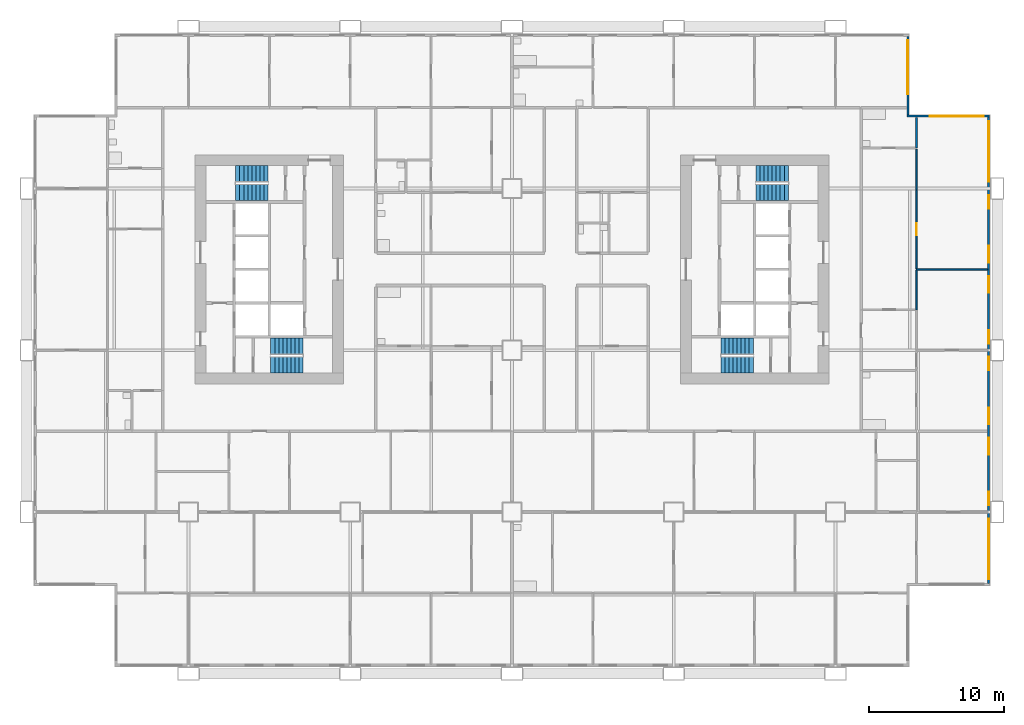
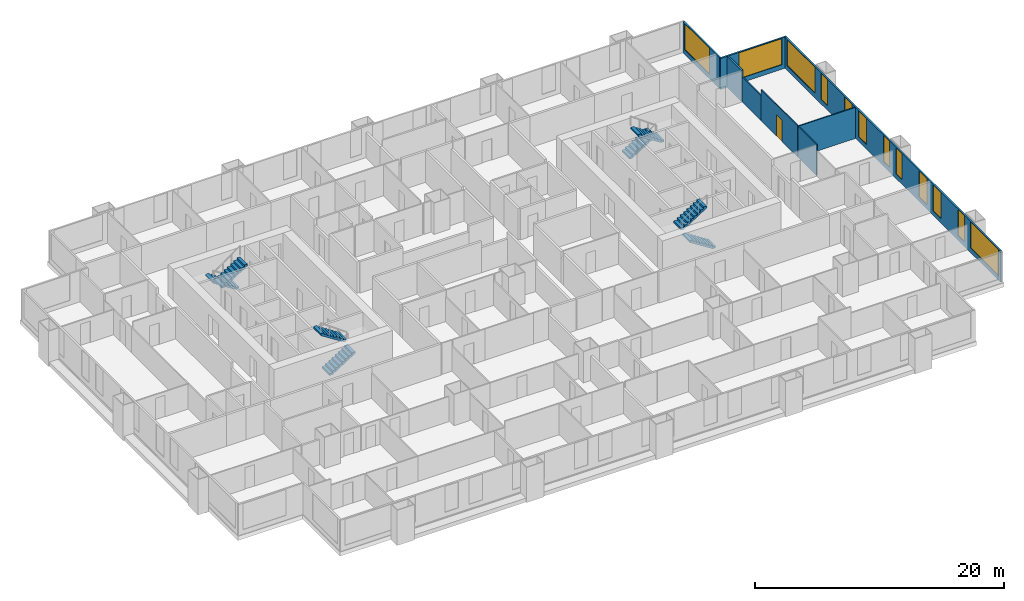
# One storey, part 12 of 14: 12 windows, 8 stair flights, 8 walls, 1 door, 13 openings, 4 elements without a shape of their own.
"""IFC4 building model written with IfcOpenShell, lengths in metres."""

import ifcopenshell
import ifcopenshell.guid

model = None  # the IFC model being written
_history = None  # IfcOwnerHistory: only IFC2X3 demands one
_inside = {}  # id of a spatial element -> (the spatial element, [elements in it])
_under = {}  # id of a project, library or spatial element -> (it, [spatial elements below it])
_declared = {}  # id of a project -> (the project, [libraries it declares])
_typed = {}  # id of a type object -> (the type object, [elements of that type])
_made_of = {}  # id of a material, layer set ... -> (it, [elements and type objects made of it])


def new_model(schema):
    """Start an empty IFC model of exactly this schema.

    Asked for "IFC4X3", IfcOpenShell would pick the latest addendum, in which some entities
    have other attributes; the version numbers below select the first issue.
    IFC2X3 requires an IfcOwnerHistory on every rooted entity: one is made here for all.
    """
    global model, _history
    if schema == "IFC4X3":
        model = ifcopenshell.file(schema_version=(4, 3, 0, 0))
    else:
        model = ifcopenshell.file(schema=schema)
    _inside.clear()
    _under.clear()
    _declared.clear()
    _typed.clear()
    _made_of.clear()
    _history = None
    if model.schema == "IFC2X3":
        org = make("IfcOrganization", Name="unknown")
        user = make(
            "IfcPersonAndOrganization",
            ThePerson=make("IfcPerson", FamilyName="unknown"),
            TheOrganization=org,
        )
        app = make(
            "IfcApplication",
            ApplicationDeveloper=org,
            Version="unknown",
            ApplicationFullName="unknown",
            ApplicationIdentifier="unknown",
        )
        _history = make(
            "IfcOwnerHistory",
            OwningUser=user,
            OwningApplication=app,
            ChangeAction="ADDED",
            CreationDate=0,
        )
    return model


def make(cls, **values):
    """One entity of the class cls with the attributes given. An attribute that is None is left unset."""
    return model.create_entity(
        cls, **{name: value for name, value in values.items() if value is not None}
    )


def rooted(cls, **values):
    """An entity with a GlobalId (a new one), such as an element, a storey or a relation."""
    return make(cls, GlobalId=ifcopenshell.guid.new(), OwnerHistory=_history, **values)


def si_unit(unit_type, name, prefix=None):
    """IfcSIUnit, for example si_unit("LENGTHUNIT", "METRE", prefix="MILLI")."""
    return make("IfcSIUnit", UnitType=unit_type, Prefix=prefix, Name=name)


def assignment(units):
    """IfcUnitAssignment: the units of a project."""
    return None if units is None else make("IfcUnitAssignment", Units=units)


def point(xyz):
    """IfcCartesianPoint."""
    return None if xyz is None else make("IfcCartesianPoint", Coordinates=xyz)


def direction(xyz):
    """IfcDirection."""
    return None if xyz is None else make("IfcDirection", DirectionRatios=xyz)


def frame(location, z_axis=None, x_axis=None):
    """IfcAxis2Placement3D, a coordinate frame: its origin and axes. An axis left out is left unset."""
    return make(
        "IfcAxis2Placement3D",
        Location=point(location),
        Axis=direction(z_axis),
        RefDirection=direction(x_axis),
    )


def frame_2d(location, x_axis=None):
    """IfcAxis2Placement2D, a coordinate frame in the plane: its origin and x axis."""
    return make(
        "IfcAxis2Placement2D", Location=point(location), RefDirection=direction(x_axis)
    )


def origin():
    """The frame at (0, 0, 0) with its axes left unset."""
    return frame((0.0, 0.0, 0.0))


def place(relative_to, where):
    """IfcLocalPlacement: puts the frame where relative to a parent placement (None: the world)."""
    return make(
        "IfcLocalPlacement", PlacementRelTo=relative_to, RelativePlacement=where
    )


def context(
    kind, dimensions, precision=None, world=None, true_north=None, identifier=None
):
    """IfcGeometricRepresentationContext, for example the 3D "Model" context."""
    return make(
        "IfcGeometricRepresentationContext",
        ContextIdentifier=identifier,
        ContextType=kind,
        CoordinateSpaceDimension=dimensions,
        Precision=precision,
        WorldCoordinateSystem=world,
        TrueNorth=true_north,
    )


def subcontext(parent, identifier, kind, view, scale=None):
    """IfcGeometricRepresentationSubContext, for example "Body" below "Model"."""
    return make(
        "IfcGeometricRepresentationSubContext",
        ContextIdentifier=identifier,
        ContextType=kind,
        ParentContext=parent,
        TargetScale=scale,
        TargetView=view,
    )


def project(units=None, contexts=None):
    """IfcProject with its units and contexts."""
    return rooted(
        "IfcProject",
        Name="project",
        RepresentationContexts=contexts,
        UnitsInContext=assignment(units),
    )


def spatial(cls, under=None, at=None, **own):
    """A site, building, storey or space (cls), placed at a placement, below another one or the project."""
    s = rooted(cls, ObjectPlacement=at, **own)
    if under is not None:
        _under.setdefault(under.id(), (under, []))[1].append(s)
    return s


def polyline(points):
    """IfcPolyline through the points."""
    return make("IfcPolyline", Points=[point(p) for p in points])


def profile(cls, at=None, kind="AREA", **sizes):
    """A parametric profile (cls). Its sizes go by their IFC names, for example OverallWidth=200.0."""
    return make(cls, ProfileType=kind, Position=at, **sizes)


def rectangle(**sizes):
    """IfcRectangleProfileDef."""
    return profile("IfcRectangleProfileDef", **sizes)


def outline(outer, holes=None, kind="AREA"):
    """IfcArbitraryClosedProfileDef: a profile drawn as a closed curve; with holes, ...WithVoids."""
    if holes is None:
        return make("IfcArbitraryClosedProfileDef", ProfileType=kind, OuterCurve=outer)
    return make(
        "IfcArbitraryProfileDefWithVoids",
        ProfileType=kind,
        OuterCurve=outer,
        InnerCurves=holes,
    )


def extrude(swept, where, along, depth):
    """IfcExtrudedAreaSolid: the profile swept, set in the frame where, extruded along a direction by depth."""
    return make(
        "IfcExtrudedAreaSolid",
        SweptArea=swept,
        Position=where,
        ExtrudedDirection=direction(along),
        Depth=depth,
    )


def shape(context_of_items, identifier, shape_type, items):
    """IfcShapeRepresentation: the items that make up one representation, for example the "Body"."""
    return make(
        "IfcShapeRepresentation",
        ContextOfItems=context_of_items,
        RepresentationIdentifier=identifier,
        RepresentationType=shape_type,
        Items=items,
    )


def material(Name=None, Category=None):
    """IfcMaterial."""
    return make("IfcMaterial", Name=Name, Category=Category)


def layer(
    of_material, thickness, ventilated=None, Name=None, Category=None, Priority=None
):
    """IfcMaterialLayer: one layer of a wall or slab, of a material (None: an air gap)."""
    return make(
        "IfcMaterialLayer",
        Material=of_material,
        LayerThickness=thickness,
        IsVentilated=ventilated,
        Name=Name,
        Category=Category,
        Priority=Priority,
    )


def layer_set(layers, Name=None):
    """IfcMaterialLayerSet."""
    return make("IfcMaterialLayerSet", MaterialLayers=layers, LayerSetName=Name)


def made_of(thing, what):
    """Note that an element or type object is made of a material, layer set ...; save() writes the relation."""
    if what is not None:
        _made_of.setdefault(what.id(), (what, []))[1].append(thing)
    return thing


def type_object(cls, material=None, **own):
    """A type object (cls), such as IfcWallType, which elements share."""
    return made_of(rooted(cls, **own), material)


def element(
    cls,
    number,
    at=None,
    inside=None,
    cuts=None,
    type_object=None,
    material=None,
    context=None,
    identifier="Body",
    shape_type=None,
    held_by="IfcProductDefinitionShape",
    body=None,
    shapes=None,
    **own,
):
    """One element of the class cls, such as IfcWall. Its Tag is "e" and its number.

    at: its placement. inside: the storey or other place that contains it. cuts: it is an
    opening in that element (IfcRelVoidsElement). A single representation is given by context,
    identifier, shape_type and body (its items); several are given by shapes. held_by: the class
    of the entity that holds the representations. save() writes the other relations.
    """
    e = rooted(cls, Tag="e%d" % number, ObjectPlacement=at, **own)
    if body is not None:
        shapes = [shape(context, identifier, shape_type, body)]
    if shapes is not None:
        e.Representation = make(held_by, Representations=shapes)
    if inside is not None:
        _inside.setdefault(inside.id(), (inside, []))[1].append(e)
    if cuts is not None:
        rooted(
            "IfcRelVoidsElement", RelatingBuildingElement=cuts, RelatedOpeningElement=e
        )
    if type_object is not None:
        _typed.setdefault(type_object.id(), (type_object, []))[1].append(e)
    return made_of(e, material)


def fill(opening, filler):
    """IfcRelFillsElement: the door or window that sits in an opening."""
    return rooted(
        "IfcRelFillsElement",
        RelatingOpeningElement=opening,
        RelatedBuildingElement=filler,
    )


def aggregate(whole, parts):
    """IfcRelAggregates: a whole, such as a stair, and the parts it consists of."""
    return rooted("IfcRelAggregates", RelatingObject=whole, RelatedObjects=parts)


def save(model, path):
    """Write the relations noted so far, then the file.

    IfcRelAggregates (storeys below a building ...), IfcRelContainedInSpatialStructure (elements
    in a storey), IfcRelDefinesByType, IfcRelAssociatesMaterial and IfcRelDeclares: one each for
    every whole, place, type object, material and project.
    """
    for whole, parts in _under.values():
        aggregate(whole, parts)
    for where, things in _inside.values():
        rooted(
            "IfcRelContainedInSpatialStructure",
            RelatedElements=things,
            RelatingStructure=where,
        )
    for kind, things in _typed.values():
        rooted("IfcRelDefinesByType", RelatedObjects=things, RelatingType=kind)
    for what, things in _made_of.values():
        rooted("IfcRelAssociatesMaterial", RelatedObjects=things, RelatingMaterial=what)
    for by, libraries in _declared.values():
        rooted("IfcRelDeclares", RelatingContext=by, RelatedDefinitions=libraries)
    model.write(path)


model = new_model("IFC4")

# Units and contexts
model_context = context("Model", 3, precision=1e-05, world=origin(), true_north=direction((0.0, 1.0)))
body_context = subcontext(model_context, "Body", "Model", "MODEL_VIEW")
ifc_project = project(units=[si_unit("LENGTHUNIT", "METRE"), si_unit("AREAUNIT", "SQUARE_METRE"), si_unit("VOLUMEUNIT", "CUBIC_METRE"), si_unit("PLANEANGLEUNIT", "RADIAN"), si_unit("MASSUNIT", "GRAM", prefix="KILO")], contexts=[model_context])

# Site, building, storey
site_placement = place(None, origin())
site = spatial("IfcSite", under=ifc_project, at=site_placement, CompositionType="ELEMENT")
building_placement = place(site_placement, origin())
building = spatial("IfcBuilding", under=site, at=building_placement, Name="Kitamizu Gate Tower and Museum", CompositionType="ELEMENT")
storey_placement = place(building_placement, frame((0.0, 0.0, 85.199951171875)))
storey = spatial("IfcBuildingStorey", under=building, at=storey_placement, Name="L21", CompositionType="ELEMENT", Elevation=85.199951171875)

# Walls
ifc_material_1 = material(Name="Gypsum board on galvanised stud")
ifc_layer_1 = layer(ifc_material_1, 0.10009765625)
ifc_layer_set_1 = layer_set([ifc_layer_1], Name="Gypsum board on galvanised stud")
wall_type_1 = type_object("IfcWallType", Name="Partition 100 NOT RATED", PredefinedType="PARTITIONING", material=ifc_layer_set_1)
wall_1_placement = place(storey_placement, frame((71.280029296875, 30.0, 0.0), z_axis=(0.0, 0.0, 1.0), x_axis=(-1.0, 0.0, 0.0)))
element("IfcWall", 1, at=wall_1_placement, inside=storey, type_object=wall_type_1, Name="Partition L21-172", PredefinedType="PARTITIONING", context=body_context, shape_type="SweptSolid", body=[
    extrude(rectangle(XDim=5.280029296875, YDim=0.10009765625, at=frame_2d((2.64013671875, 0.0))), origin(), (0.0, 0.0, 1.0), 3.050048828125),
])
wall_2_placement = place(storey_placement, frame((66.0, 29.949951171875, 0.0), z_axis=(0.0, 0.0, 1.0), x_axis=(0.0, -1.0, 0.0)))
element("IfcWall", 2, at=wall_2_placement, inside=storey, type_object=wall_type_1, Name="Partition L21-174", PredefinedType="PARTITIONING", context=body_context, shape_type="SweptSolid", body=[
    extrude(rectangle(XDim=2.949951171875, YDim=0.10009765625, at=frame_2d((1.47509765625, 0.0))), origin(), (0.0, 0.0, 1.0), 3.050048828125),
])
wall_3_placement = place(storey_placement, frame((66.0, 38.925048828125, 0.0), z_axis=(0.0, 0.0, 1.0), x_axis=(0.0, -1.0, 0.0)))
element("IfcWall", 3, at=wall_3_placement, inside=storey, type_object=wall_type_1, Name="Partition L21-175", PredefinedType="PARTITIONING", context=body_context, shape_type="SweptSolid", body=[
    extrude(rectangle(XDim=3.025146484375, YDim=0.10009765625, at=frame_2d((1.5126953125, 0.0))), origin(), (0.0, 0.0, 1.0), 2.449951171875),
])

# Wall, opening, door
wall_4_placement = place(storey_placement, frame((66.0, 35.89990234375, 0.0), z_axis=(0.0, 0.0, 1.0), x_axis=(0.0, -1.0, 0.0)))
wall_4 = element("IfcWall", 4, at=wall_4_placement, inside=storey, type_object=wall_type_1, Name="Partition L21-176", PredefinedType="PARTITIONING", context=body_context, shape_type="SweptSolid", body=[
    extrude(rectangle(XDim=5.849853515625, YDim=0.10009765625, at=frame_2d((2.9248046875, 0.0))), origin(), (0.0, 0.0, 1.0), 3.050048828125),
])
opening_1_placement = place(wall_4_placement, frame((2.47509765625, 0.0, 0.0)))
opening_1 = element("IfcOpeningElement", 5, at=opening_1_placement, cuts=wall_4, Name="Opening L21-062", PredefinedType="OPENING", context=body_context, shape_type="SweptSolid", body=[
    extrude(rectangle(XDim=0.89990234375, YDim=2.10009765625, at=frame_2d((0.449951171875, 1.050048828125))), frame((0.0, 0.06005859375, 0.0), z_axis=(0.0, -1.0, 0.0), x_axis=(1.0, 0.0, 0.0)), (0.0, 0.0, 1.0), 0.1201171875),
])
ifc_material_2 = material(Name="Timber door set", Category="wood")
door_type = type_object("IfcDoorType", Name="Room door 900", OperationType="NOTDEFINED", PredefinedType="DOOR", material=ifc_material_2)
door_placement = place(opening_1_placement, origin())
door = element("IfcDoor", 6, at=door_placement, inside=storey, type_object=door_type, Name="Door L21-062", OperationType="SINGLE_SWING_RIGHT", OverallHeight=2.10009765625, OverallWidth=0.89990234375, PredefinedType="DOOR", context=body_context, shape_type="SweptSolid", body=[
    extrude(rectangle(XDim=0.89990234375, YDim=2.10009765625, at=frame_2d((0.449951171875, 1.050048828125))), frame((0.0, 0.02490234375, 0.0), z_axis=(0.0, -1.0, 0.0), x_axis=(1.0, 0.0, 0.0)), (0.0, 0.0, 1.0), 0.050048828125),
])
fill(opening_1, door)

# Wall
ifc_material_3 = material(Name="Gypsum board on galvanised stud")
ifc_layer_2 = layer(ifc_material_3, 0.14990234375)
ifc_layer_set_2 = layer_set([ifc_layer_2], Name="Gypsum board on galvanised stud")
wall_type_2 = type_object("IfcWallType", Name="Partition 150", PredefinedType="PARTITIONING", material=ifc_layer_set_2)
wall_5_placement = place(storey_placement, frame((66.0, 41.280029296875, 0.0), z_axis=(0.0, 0.0, 1.0), x_axis=(0.0, -1.0, 0.0)))
element("IfcWall", 7, at=wall_5_placement, inside=storey, type_object=wall_type_2, Name="Partition L21-177", PredefinedType="PARTITIONING", context=body_context, shape_type="SweptSolid", body=[
    extrude(rectangle(XDim=2.280029296875, YDim=0.14990234375, at=frame_2d((1.14013671875, 0.0))), origin(), (0.0, 0.0, 1.0), 3.050048828125),
])

# Wall, openings, windows
ifc_material_4 = material(Name="Bronze anodised aluminium frame with insulated spandrel and tinted glass", Category="aluminium")
ifc_layer_3 = layer(ifc_material_4, 0.14990234375)
ifc_layer_set_3 = layer_set([ifc_layer_3], Name="Bronze anodised aluminium frame with insulated spandrel and tinted glass")
wall_type_3 = type_object("IfcWallType", Name="WINDOW WALL 150 BRONZE FRAME EI 30", PredefinedType="ELEMENTEDWALL", material=ifc_layer_set_3)
wall_6_placement = place(storey_placement, frame((71.364990234375, 6.7099609375, 0.0), z_axis=(0.0, 0.0, 1.0), x_axis=(0.0, 1.0, 0.0)))
wall_6 = element("IfcWall", 8, at=wall_6_placement, inside=storey, type_object=wall_type_3, Name="Window wall east L21", PredefinedType="ELEMENTEDWALL", context=body_context, shape_type="SweptSolid", body=[
    extrude(rectangle(XDim=34.580078125, YDim=0.14990234375, at=frame_2d((17.2900390625, 0.0))), origin(), (0.0, 0.0, 1.0), 3.050048828125),
])
opening_2_placement = place(wall_6_placement, frame((0.2900390625, 0.0, 0.449951171875)))
opening_2 = element("IfcOpeningElement", 9, at=opening_2_placement, cuts=wall_6, Name="Opening W15", PredefinedType="OPENING", context=body_context, shape_type="SweptSolid", body=[
    extrude(rectangle(XDim=4.5, YDim=2.550048828125, at=frame_2d((2.25, 1.27490234375))), frame((0.0, 0.0849609375, 0.0), z_axis=(0.0, -1.0, 0.0), x_axis=(1.0, 0.0, 0.0)), (0.0, 0.0, 1.0), 0.169921875),
])
opening_3_placement = place(wall_6_placement, frame((5.7900390625, 0.0, 0.449951171875)))
opening_3 = element("IfcOpeningElement", 10, at=opening_3_placement, cuts=wall_6, Name="Opening W26", PredefinedType="OPENING", context=body_context, shape_type="SweptSolid", body=[
    extrude(rectangle(XDim=1.0, YDim=2.550048828125, at=frame_2d((0.5, 1.27490234375))), frame((0.0, 0.0849609375, 0.0), z_axis=(0.0, -1.0, 0.0), x_axis=(1.0, 0.0, 0.0)), (0.0, 0.0, 1.0), 0.169921875),
])
opening_4_placement = place(wall_6_placement, frame((9.5400390625, 0.0, 0.449951171875)))
opening_4 = element("IfcOpeningElement", 11, at=opening_4_placement, cuts=wall_6, Name="Opening W27", PredefinedType="OPENING", context=body_context, shape_type="SweptSolid", body=[
    extrude(rectangle(XDim=1.25, YDim=2.550048828125, at=frame_2d((0.625, 1.27490234375))), frame((0.0, 0.0849609375, 0.0), z_axis=(0.0, -1.0, 0.0), x_axis=(1.0, 0.0, 0.0)), (0.0, 0.0, 1.0), 0.169921875),
])
opening_5_placement = place(wall_6_placement, frame((11.7900390625, 0.0, 0.449951171875)))
opening_5 = element("IfcOpeningElement", 12, at=opening_5_placement, cuts=wall_6, Name="Opening W27", PredefinedType="OPENING", context=body_context, shape_type="SweptSolid", body=[
    extrude(rectangle(XDim=1.25, YDim=2.550048828125, at=frame_2d((0.625, 1.27490234375))), frame((0.0, 0.0849609375, 0.0), z_axis=(0.0, -1.0, 0.0), x_axis=(1.0, 0.0, 0.0)), (0.0, 0.0, 1.0), 0.169921875),
])
opening_6_placement = place(wall_6_placement, frame((15.7900390625, 0.0, 0.449951171875)))
opening_6 = element("IfcOpeningElement", 13, at=opening_6_placement, cuts=wall_6, Name="Opening W26", PredefinedType="OPENING", context=body_context, shape_type="SweptSolid", body=[
    extrude(rectangle(XDim=1.0, YDim=2.550048828125, at=frame_2d((0.5, 1.27490234375))), frame((0.0, 0.0849609375, 0.0), z_axis=(0.0, -1.0, 0.0), x_axis=(1.0, 0.0, 0.0)), (0.0, 0.0, 1.0), 0.169921875),
])
opening_7_placement = place(wall_6_placement, frame((17.7900390625, 0.0, 0.449951171875)))
opening_7 = element("IfcOpeningElement", 14, at=opening_7_placement, cuts=wall_6, Name="Opening W26", PredefinedType="OPENING", context=body_context, shape_type="SweptSolid", body=[
    extrude(rectangle(XDim=1.0, YDim=2.550048828125, at=frame_2d((0.5, 1.27490234375))), frame((0.0, 0.0849609375, 0.0), z_axis=(0.0, -1.0, 0.0), x_axis=(1.0, 0.0, 0.0)), (0.0, 0.0, 1.0), 0.169921875),
])
opening_8_placement = place(wall_6_placement, frame((21.5400390625, 0.0, 0.449951171875)))
opening_8 = element("IfcOpeningElement", 15, at=opening_8_placement, cuts=wall_6, Name="Opening W27", PredefinedType="OPENING", context=body_context, shape_type="SweptSolid", body=[
    extrude(rectangle(XDim=1.25, YDim=2.550048828125, at=frame_2d((0.625, 1.27490234375))), frame((0.0, 0.0849609375, 0.0), z_axis=(0.0, -1.0, 0.0), x_axis=(1.0, 0.0, 0.0)), (0.0, 0.0, 1.0), 0.169921875),
])
opening_9_placement = place(wall_6_placement, frame((23.7900390625, 0.0, 0.449951171875)))
opening_9 = element("IfcOpeningElement", 16, at=opening_9_placement, cuts=wall_6, Name="Opening W27", PredefinedType="OPENING", context=body_context, shape_type="SweptSolid", body=[
    extrude(rectangle(XDim=1.25, YDim=2.550048828125, at=frame_2d((0.625, 1.27490234375))), frame((0.0, 0.0849609375, 0.0), z_axis=(0.0, -1.0, 0.0), x_axis=(1.0, 0.0, 0.0)), (0.0, 0.0, 1.0), 0.169921875),
])
opening_10_placement = place(wall_6_placement, frame((27.7900390625, 0.0, 0.449951171875)))
opening_10 = element("IfcOpeningElement", 17, at=opening_10_placement, cuts=wall_6, Name="Opening W26", PredefinedType="OPENING", context=body_context, shape_type="SweptSolid", body=[
    extrude(rectangle(XDim=1.0, YDim=2.550048828125, at=frame_2d((0.5, 1.27490234375))), frame((0.0, 0.0849609375, 0.0), z_axis=(0.0, -1.0, 0.0), x_axis=(1.0, 0.0, 0.0)), (0.0, 0.0, 1.0), 0.169921875),
])
opening_11_placement = place(wall_6_placement, frame((29.7900390625, 0.0, 0.449951171875)))
opening_11 = element("IfcOpeningElement", 18, at=opening_11_placement, cuts=wall_6, Name="Opening W15", PredefinedType="OPENING", context=body_context, shape_type="SweptSolid", body=[
    extrude(rectangle(XDim=4.5, YDim=2.550048828125, at=frame_2d((2.25, 1.27490234375))), frame((0.0, 0.0849609375, 0.0), z_axis=(0.0, -1.0, 0.0), x_axis=(1.0, 0.0, 0.0)), (0.0, 0.0, 1.0), 0.169921875),
])
ifc_material_5 = material(Name="Bronze anodised aluminium frame, tinted triple glazing", Category="aluminium")
window_type_1 = type_object("IfcWindowType", Name="WINDOW 1000 x 2550 SILL 450", PartitioningType="SINGLE_PANEL", PredefinedType="WINDOW", material=ifc_material_5)
window_1_placement = place(opening_3_placement, origin())
window_1 = element("IfcWindow", 19, at=window_1_placement, inside=storey, type_object=window_type_1, Name="Window W26 L21", OverallHeight=2.550048828125, OverallWidth=1.0, PartitioningType="SINGLE_PANEL", PredefinedType="WINDOW", context=body_context, shape_type="SweptSolid", body=[
    extrude(rectangle(XDim=1.0, YDim=2.550048828125, at=frame_2d((0.5, 1.27490234375))), frame((0.0, 0.030029296875, 0.0), z_axis=(0.0, -1.0, 0.0), x_axis=(1.0, 0.0, 0.0)), (0.0, 0.0, 1.0), 0.06005859375),
])
fill(opening_3, window_1)
window_2_placement = place(opening_6_placement, origin())
window_2 = element("IfcWindow", 20, at=window_2_placement, inside=storey, type_object=window_type_1, Name="Window W26 L21", OverallHeight=2.550048828125, OverallWidth=1.0, PartitioningType="SINGLE_PANEL", PredefinedType="WINDOW", context=body_context, shape_type="SweptSolid", body=[
    extrude(rectangle(XDim=1.0, YDim=2.550048828125, at=frame_2d((0.5, 1.27490234375))), frame((0.0, 0.030029296875, 0.0), z_axis=(0.0, -1.0, 0.0), x_axis=(1.0, 0.0, 0.0)), (0.0, 0.0, 1.0), 0.06005859375),
])
fill(opening_6, window_2)
window_3_placement = place(opening_7_placement, origin())
window_3 = element("IfcWindow", 21, at=window_3_placement, inside=storey, type_object=window_type_1, Name="Window W26 L21", OverallHeight=2.550048828125, OverallWidth=1.0, PartitioningType="SINGLE_PANEL", PredefinedType="WINDOW", context=body_context, shape_type="SweptSolid", body=[
    extrude(rectangle(XDim=1.0, YDim=2.550048828125, at=frame_2d((0.5, 1.27490234375))), frame((0.0, 0.030029296875, 0.0), z_axis=(0.0, -1.0, 0.0), x_axis=(1.0, 0.0, 0.0)), (0.0, 0.0, 1.0), 0.06005859375),
])
fill(opening_7, window_3)
window_4_placement = place(opening_10_placement, origin())
window_4 = element("IfcWindow", 22, at=window_4_placement, inside=storey, type_object=window_type_1, Name="Window W26 L21", OverallHeight=2.550048828125, OverallWidth=1.0, PartitioningType="SINGLE_PANEL", PredefinedType="WINDOW", context=body_context, shape_type="SweptSolid", body=[
    extrude(rectangle(XDim=1.0, YDim=2.550048828125, at=frame_2d((0.5, 1.27490234375))), frame((0.0, 0.030029296875, 0.0), z_axis=(0.0, -1.0, 0.0), x_axis=(1.0, 0.0, 0.0)), (0.0, 0.0, 1.0), 0.06005859375),
])
fill(opening_10, window_4)
ifc_material_6 = material(Name="Bronze anodised aluminium frame, tinted triple glazing", Category="aluminium")
window_type_2 = type_object("IfcWindowType", Name="WINDOW 1250 x 2550 SILL 450", PartitioningType="SINGLE_PANEL", PredefinedType="WINDOW", material=ifc_material_6)
window_5_placement = place(opening_4_placement, origin())
window_5 = element("IfcWindow", 23, at=window_5_placement, inside=storey, type_object=window_type_2, Name="Window W27 L21", OverallHeight=2.550048828125, OverallWidth=1.25, PartitioningType="SINGLE_PANEL", PredefinedType="WINDOW", context=body_context, shape_type="SweptSolid", body=[
    extrude(rectangle(XDim=1.25, YDim=2.550048828125, at=frame_2d((0.625, 1.27490234375))), frame((0.0, 0.030029296875, 0.0), z_axis=(0.0, -1.0, 0.0), x_axis=(1.0, 0.0, 0.0)), (0.0, 0.0, 1.0), 0.06005859375),
])
fill(opening_4, window_5)
window_6_placement = place(opening_5_placement, origin())
window_6 = element("IfcWindow", 24, at=window_6_placement, inside=storey, type_object=window_type_2, Name="Window W27 L21", OverallHeight=2.550048828125, OverallWidth=1.25, PartitioningType="SINGLE_PANEL", PredefinedType="WINDOW", context=body_context, shape_type="SweptSolid", body=[
    extrude(rectangle(XDim=1.25, YDim=2.550048828125, at=frame_2d((0.625, 1.27490234375))), frame((0.0, 0.030029296875, 0.0), z_axis=(0.0, -1.0, 0.0), x_axis=(1.0, 0.0, 0.0)), (0.0, 0.0, 1.0), 0.06005859375),
])
fill(opening_5, window_6)
window_7_placement = place(opening_8_placement, origin())
window_7 = element("IfcWindow", 25, at=window_7_placement, inside=storey, type_object=window_type_2, Name="Window W27 L21", OverallHeight=2.550048828125, OverallWidth=1.25, PartitioningType="SINGLE_PANEL", PredefinedType="WINDOW", context=body_context, shape_type="SweptSolid", body=[
    extrude(rectangle(XDim=1.25, YDim=2.550048828125, at=frame_2d((0.625, 1.27490234375))), frame((0.0, 0.030029296875, 0.0), z_axis=(0.0, -1.0, 0.0), x_axis=(1.0, 0.0, 0.0)), (0.0, 0.0, 1.0), 0.06005859375),
])
fill(opening_8, window_7)
window_8_placement = place(opening_9_placement, origin())
window_8 = element("IfcWindow", 26, at=window_8_placement, inside=storey, type_object=window_type_2, Name="Window W27 L21", OverallHeight=2.550048828125, OverallWidth=1.25, PartitioningType="SINGLE_PANEL", PredefinedType="WINDOW", context=body_context, shape_type="SweptSolid", body=[
    extrude(rectangle(XDim=1.25, YDim=2.550048828125, at=frame_2d((0.625, 1.27490234375))), frame((0.0, 0.030029296875, 0.0), z_axis=(0.0, -1.0, 0.0), x_axis=(1.0, 0.0, 0.0)), (0.0, 0.0, 1.0), 0.06005859375),
])
fill(opening_9, window_8)
ifc_material_7 = material(Name="Bronze anodised aluminium frame, tinted triple glazing", Category="aluminium")
window_type_3 = type_object("IfcWindowType", Name="WINDOW 4500 x 2550 SILL 450", PartitioningType="SINGLE_PANEL", PredefinedType="WINDOW", material=ifc_material_7)
window_9_placement = place(opening_2_placement, origin())
window_9 = element("IfcWindow", 27, at=window_9_placement, inside=storey, type_object=window_type_3, Name="Window W15 L21", OverallHeight=2.550048828125, OverallWidth=4.5, PartitioningType="SINGLE_PANEL", PredefinedType="WINDOW", context=body_context, shape_type="SweptSolid", body=[
    extrude(rectangle(XDim=4.5, YDim=2.550048828125, at=frame_2d((2.25, 1.27490234375))), frame((0.0, 0.030029296875, 0.0), z_axis=(0.0, -1.0, 0.0), x_axis=(1.0, 0.0, 0.0)), (0.0, 0.0, 1.0), 0.06005859375),
])
fill(opening_2, window_9)
window_10_placement = place(opening_11_placement, origin())
window_10 = element("IfcWindow", 28, at=window_10_placement, inside=storey, type_object=window_type_3, Name="Window W15 L21", OverallHeight=2.550048828125, OverallWidth=4.5, PartitioningType="SINGLE_PANEL", PredefinedType="WINDOW", context=body_context, shape_type="SweptSolid", body=[
    extrude(rectangle(XDim=4.5, YDim=2.550048828125, at=frame_2d((2.25, 1.27490234375))), frame((0.0, 0.030029296875, 0.0), z_axis=(0.0, -1.0, 0.0), x_axis=(1.0, 0.0, 0.0)), (0.0, 0.0, 1.0), 0.06005859375),
])
fill(opening_11, window_10)

# Wall, opening, window
wall_7_placement = place(storey_placement, frame((65.2900390625, 41.364990234375, 0.0), z_axis=(0.0, 0.0, 1.0), x_axis=(1.0, 0.0, 0.0)))
wall_7 = element("IfcWall", 29, at=wall_7_placement, inside=storey, type_object=wall_type_3, Name="Window wall north L21", PredefinedType="ELEMENTEDWALL", context=body_context, shape_type="SweptSolid", body=[
    extrude(rectangle(XDim=6.14990234375, YDim=0.14990234375, at=frame_2d((3.074951171875, 0.0))), origin(), (0.0, 0.0, 1.0), 3.050048828125),
])
opening_12_placement = place(wall_7_placement, frame((1.7099609375, 0.0, 0.449951171875)))
opening_12 = element("IfcOpeningElement", 30, at=opening_12_placement, cuts=wall_7, Name="Opening W16", PredefinedType="OPENING", context=body_context, shape_type="SweptSolid", body=[
    extrude(rectangle(XDim=4.0, YDim=2.550048828125, at=frame_2d((2.0, 1.27490234375))), frame((0.0, 0.0849609375, 0.0), z_axis=(0.0, -1.0, 0.0), x_axis=(1.0, 0.0, 0.0)), (0.0, 0.0, 1.0), 0.169921875),
])
ifc_material_8 = material(Name="Bronze anodised aluminium frame, tinted triple glazing", Category="aluminium")
window_type_4 = type_object("IfcWindowType", Name="WINDOW 4000 x 2550 SILL 450", PartitioningType="SINGLE_PANEL", PredefinedType="WINDOW", material=ifc_material_8)
window_11_placement = place(opening_12_placement, origin())
window_11 = element("IfcWindow", 31, at=window_11_placement, inside=storey, type_object=window_type_4, Name="Window W16 L21", OverallHeight=2.550048828125, OverallWidth=4.0, PartitioningType="SINGLE_PANEL", PredefinedType="WINDOW", context=body_context, shape_type="SweptSolid", body=[
    extrude(rectangle(XDim=4.0, YDim=2.550048828125, at=frame_2d((2.0, 1.27490234375))), frame((0.0, 0.030029296875, 0.0), z_axis=(0.0, -1.0, 0.0), x_axis=(1.0, 0.0, 0.0)), (0.0, 0.0, 1.0), 0.06005859375),
])
fill(opening_12, window_11)

wall_8_placement = place(storey_placement, frame((65.364990234375, 41.43994140625, 0.0), z_axis=(0.0, 0.0, 1.0), x_axis=(0.0, 1.0, 0.0)))
wall_8 = element("IfcWall", 32, at=wall_8_placement, inside=storey, type_object=wall_type_3, Name="Window wall east L21", PredefinedType="ELEMENTEDWALL", context=body_context, shape_type="SweptSolid", body=[
    extrude(rectangle(XDim=5.85009765625, YDim=0.14990234375, at=frame_2d((2.925048828125, 0.0))), origin(), (0.0, 0.0, 1.0), 3.050048828125),
])
opening_13_placement = place(wall_8_placement, frame((1.56005859375, 0.0, 0.449951171875)))
opening_13 = element("IfcOpeningElement", 33, at=opening_13_placement, cuts=wall_8, Name="Opening W16", PredefinedType="OPENING", context=body_context, shape_type="SweptSolid", body=[
    extrude(rectangle(XDim=4.0, YDim=2.550048828125, at=frame_2d((2.0, 1.27490234375))), frame((0.0, 0.0849609375, 0.0), z_axis=(0.0, -1.0, 0.0), x_axis=(1.0, 0.0, 0.0)), (0.0, 0.0, 1.0), 0.169921875),
])
window_12_placement = place(opening_13_placement, origin())
window_12 = element("IfcWindow", 34, at=window_12_placement, inside=storey, type_object=window_type_4, Name="Window W16 L21", OverallHeight=2.550048828125, OverallWidth=4.0, PartitioningType="SINGLE_PANEL", PredefinedType="WINDOW", context=body_context, shape_type="SweptSolid", body=[
    extrude(rectangle(XDim=4.0, YDim=2.550048828125, at=frame_2d((2.0, 1.27490234375))), frame((0.0, 0.030029296875, 0.0), z_axis=(0.0, -1.0, 0.0), x_axis=(1.0, 0.0, 0.0)), (0.0, 0.0, 1.0), 0.06005859375),
])
fill(opening_13, window_12)

# Stair, stair flights
ifc_material_9 = material(Name="Concrete Fc42", Category="concrete")
stair_type = type_object("IfcStairType", Name="Exit stair 1200 wide 192 rise 300 going", PredefinedType="HALF_TURN_STAIR", material=ifc_material_9)
stair_1_placement = place(storey_placement, origin())
stair_1 = element("IfcStair", 35, at=stair_1_placement, inside=storey, type_object=stair_type, Name="Exit stair ST1", PredefinedType="HALF_TURN_STAIR")
ifc_material_10 = material(Name="Concrete Fc42", Category="concrete")
stair_flight_type = type_object("IfcStairFlightType", Name="Stair flight 1200 wide 192 rise 300 going", PredefinedType="STRAIGHT", material=ifc_material_10)
stair_flight_1_placement = place(storey_placement, frame((18.10009765625, 22.89990234375, 0.0), z_axis=(0.0, 0.0, 1.0), x_axis=(1.0, 0.0, 0.0)))
stair_flight_1 = element("IfcStairFlight", 36, at=stair_flight_1_placement, type_object=stair_flight_type, Name="ST1 flight 1", NumberOfRisers=9, NumberOfTreads=8, PredefinedType="STRAIGHT", RiserHeight=0.191666667, TreadLength=0.3, context=body_context, shape_type="SweptSolid", body=[
    extrude(outline(polyline([(0.0, 0.0), (0.0, 0.191650390625), (0.300048828125, 0.191650390625), (0.300048828125, 0.38330078125), (0.60009765625, 0.38330078125), (0.60009765625, 0.574951171875), (0.89990234375, 0.574951171875), (0.89990234375, 0.7666015625), (1.199951171875, 0.7666015625), (1.199951171875, 0.958251953125), (1.5, 0.958251953125), (1.5, 1.14990234375), (1.800048828125, 1.14990234375), (1.800048828125, 1.341552734375), (2.10009765625, 1.341552734375), (2.10009765625, 1.533447265625), (2.39990234375, 1.533447265625), (2.39990234375, 1.72509765625), (2.39990234375, 1.35546875), (0.2783203125, 0.0), (0.0, 0.0)])), frame((0.0, 0.60009765625, 0.0), z_axis=(0.0, -1.0, 0.0), x_axis=(1.0, 0.0, 0.0)), (0.0, 0.0, 1.0), 1.199951171875),
])
stair_flight_2_placement = place(storey_placement, frame((20.5, 24.300048828125, 1.72509765625), z_axis=(0.0, 0.0, 1.0), x_axis=(-1.0, 0.0, 0.0)))
stair_flight_2 = element("IfcStairFlight", 37, at=stair_flight_2_placement, type_object=stair_flight_type, Name="ST1 flight 2", NumberOfRisers=9, NumberOfTreads=8, PredefinedType="STRAIGHT", RiserHeight=0.191666667, TreadLength=0.3, context=body_context, shape_type="SweptSolid", body=[
    extrude(outline(polyline([(0.0, 0.0), (0.0, 0.191650390625), (0.300048828125, 0.191650390625), (0.300048828125, 0.38330078125), (0.60009765625, 0.38330078125), (0.60009765625, 0.574951171875), (0.89990234375, 0.574951171875), (0.89990234375, 0.7666015625), (1.199951171875, 0.7666015625), (1.199951171875, 0.958251953125), (1.5, 0.958251953125), (1.5, 1.14990234375), (1.800048828125, 1.14990234375), (1.800048828125, 1.341552734375), (2.10009765625, 1.341552734375), (2.10009765625, 1.533447265625), (2.39990234375, 1.533447265625), (2.39990234375, 1.72509765625), (2.39990234375, 1.35546875), (0.2783203125, 0.0), (0.0, 0.0)])), frame((0.0, 0.60009765625, 0.0), z_axis=(0.0, -1.0, 0.0), x_axis=(1.0, 0.0, 0.0)), (0.0, 0.0, 1.0), 1.199951171875),
])
aggregate(stair_1, [stair_flight_1, stair_flight_2])

stair_2_placement = place(storey_placement, origin())
stair_2 = element("IfcStair", 38, at=stair_2_placement, inside=storey, type_object=stair_type, Name="Exit stair ST2", PredefinedType="HALF_TURN_STAIR")
stair_flight_3_placement = place(storey_placement, frame((17.89990234375, 37.10009765625, 0.0), z_axis=(0.0, 0.0, 1.0), x_axis=(-1.0, 0.0, 0.0)))
stair_flight_3 = element("IfcStairFlight", 39, at=stair_flight_3_placement, type_object=stair_flight_type, Name="ST2 flight 1", NumberOfRisers=9, NumberOfTreads=8, PredefinedType="STRAIGHT", RiserHeight=0.191666667, TreadLength=0.3, context=body_context, shape_type="SweptSolid", body=[
    extrude(outline(polyline([(0.0, 0.0), (0.0, 0.191650390625), (0.300048828125, 0.191650390625), (0.300048828125, 0.38330078125), (0.60009765625, 0.38330078125), (0.60009765625, 0.574951171875), (0.89990234375, 0.574951171875), (0.89990234375, 0.7666015625), (1.199951171875, 0.7666015625), (1.199951171875, 0.958251953125), (1.5, 0.958251953125), (1.5, 1.14990234375), (1.800048828125, 1.14990234375), (1.800048828125, 1.341552734375), (2.10009765625, 1.341552734375), (2.10009765625, 1.533447265625), (2.39990234375, 1.533447265625), (2.39990234375, 1.72509765625), (2.39990234375, 1.35546875), (0.2783203125, 0.0), (0.0, 0.0)])), frame((0.0, 0.60009765625, 0.0), z_axis=(0.0, -1.0, 0.0), x_axis=(1.0, 0.0, 0.0)), (0.0, 0.0, 1.0), 1.199951171875),
])
stair_flight_4_placement = place(storey_placement, frame((15.5, 35.699951171875, 1.72509765625), z_axis=(0.0, 0.0, 1.0), x_axis=(1.0, 0.0, 0.0)))
stair_flight_4 = element("IfcStairFlight", 40, at=stair_flight_4_placement, type_object=stair_flight_type, Name="ST2 flight 2", NumberOfRisers=9, NumberOfTreads=8, PredefinedType="STRAIGHT", RiserHeight=0.191666667, TreadLength=0.3, context=body_context, shape_type="SweptSolid", body=[
    extrude(outline(polyline([(0.0, 0.0), (0.0, 0.191650390625), (0.300048828125, 0.191650390625), (0.300048828125, 0.38330078125), (0.60009765625, 0.38330078125), (0.60009765625, 0.574951171875), (0.89990234375, 0.574951171875), (0.89990234375, 0.7666015625), (1.199951171875, 0.7666015625), (1.199951171875, 0.958251953125), (1.5, 0.958251953125), (1.5, 1.14990234375), (1.800048828125, 1.14990234375), (1.800048828125, 1.341552734375), (2.10009765625, 1.341552734375), (2.10009765625, 1.533447265625), (2.39990234375, 1.533447265625), (2.39990234375, 1.72509765625), (2.39990234375, 1.35546875), (0.2783203125, 0.0), (0.0, 0.0)])), frame((0.0, 0.60009765625, 0.0), z_axis=(0.0, -1.0, 0.0), x_axis=(1.0, 0.0, 0.0)), (0.0, 0.0, 1.0), 1.199951171875),
])
aggregate(stair_2, [stair_flight_3, stair_flight_4])

stair_3_placement = place(storey_placement, origin())
stair_3 = element("IfcStair", 41, at=stair_3_placement, inside=storey, type_object=stair_type, Name="Exit stair ST3", PredefinedType="HALF_TURN_STAIR")
stair_flight_5_placement = place(storey_placement, frame((53.89990234375, 22.89990234375, 0.0), z_axis=(0.0, 0.0, 1.0), x_axis=(-1.0, 0.0, 0.0)))
stair_flight_5 = element("IfcStairFlight", 42, at=stair_flight_5_placement, type_object=stair_flight_type, Name="ST3 flight 1", NumberOfRisers=9, NumberOfTreads=8, PredefinedType="STRAIGHT", RiserHeight=0.191666667, TreadLength=0.3, context=body_context, shape_type="SweptSolid", body=[
    extrude(outline(polyline([(0.0, 0.0), (0.0, 0.191650390625), (0.300048828125, 0.191650390625), (0.300048828125, 0.38330078125), (0.60009765625, 0.38330078125), (0.60009765625, 0.574951171875), (0.89990234375, 0.574951171875), (0.89990234375, 0.7666015625), (1.199951171875, 0.7666015625), (1.199951171875, 0.958251953125), (1.5, 0.958251953125), (1.5, 1.14990234375), (1.800048828125, 1.14990234375), (1.800048828125, 1.341552734375), (2.10009765625, 1.341552734375), (2.10009765625, 1.533447265625), (2.39990234375, 1.533447265625), (2.39990234375, 1.72509765625), (2.39990234375, 1.35546875), (0.2783203125, 0.0), (0.0, 0.0)])), frame((0.0, 0.60009765625, 0.0), z_axis=(0.0, -1.0, 0.0), x_axis=(1.0, 0.0, 0.0)), (0.0, 0.0, 1.0), 1.199951171875),
])
stair_flight_6_placement = place(storey_placement, frame((51.5, 24.300048828125, 1.72509765625), z_axis=(0.0, 0.0, 1.0), x_axis=(1.0, 0.0, 0.0)))
stair_flight_6 = element("IfcStairFlight", 43, at=stair_flight_6_placement, type_object=stair_flight_type, Name="ST3 flight 2", NumberOfRisers=9, NumberOfTreads=8, PredefinedType="STRAIGHT", RiserHeight=0.191666667, TreadLength=0.3, context=body_context, shape_type="SweptSolid", body=[
    extrude(outline(polyline([(0.0, 0.0), (0.0, 0.191650390625), (0.300048828125, 0.191650390625), (0.300048828125, 0.38330078125), (0.60009765625, 0.38330078125), (0.60009765625, 0.574951171875), (0.89990234375, 0.574951171875), (0.89990234375, 0.7666015625), (1.199951171875, 0.7666015625), (1.199951171875, 0.958251953125), (1.5, 0.958251953125), (1.5, 1.14990234375), (1.800048828125, 1.14990234375), (1.800048828125, 1.341552734375), (2.10009765625, 1.341552734375), (2.10009765625, 1.533447265625), (2.39990234375, 1.533447265625), (2.39990234375, 1.72509765625), (2.39990234375, 1.35546875), (0.2783203125, 0.0), (0.0, 0.0)])), frame((0.0, 0.60009765625, 0.0), z_axis=(0.0, -1.0, 0.0), x_axis=(1.0, 0.0, 0.0)), (0.0, 0.0, 1.0), 1.199951171875),
])
aggregate(stair_3, [stair_flight_5, stair_flight_6])

stair_4_placement = place(storey_placement, origin())
stair_4 = element("IfcStair", 44, at=stair_4_placement, inside=storey, type_object=stair_type, Name="Exit stair ST4", PredefinedType="HALF_TURN_STAIR")
stair_flight_7_placement = place(storey_placement, frame((54.10009765625, 37.10009765625, 0.0), z_axis=(0.0, 0.0, 1.0), x_axis=(1.0, 0.0, 0.0)))
stair_flight_7 = element("IfcStairFlight", 45, at=stair_flight_7_placement, type_object=stair_flight_type, Name="ST4 flight 1", NumberOfRisers=9, NumberOfTreads=8, PredefinedType="STRAIGHT", RiserHeight=0.191666667, TreadLength=0.3, context=body_context, shape_type="SweptSolid", body=[
    extrude(outline(polyline([(0.0, 0.0), (0.0, 0.191650390625), (0.300048828125, 0.191650390625), (0.300048828125, 0.38330078125), (0.60009765625, 0.38330078125), (0.60009765625, 0.574951171875), (0.89990234375, 0.574951171875), (0.89990234375, 0.7666015625), (1.199951171875, 0.7666015625), (1.199951171875, 0.958251953125), (1.5, 0.958251953125), (1.5, 1.14990234375), (1.800048828125, 1.14990234375), (1.800048828125, 1.341552734375), (2.10009765625, 1.341552734375), (2.10009765625, 1.533447265625), (2.39990234375, 1.533447265625), (2.39990234375, 1.72509765625), (2.39990234375, 1.35546875), (0.2783203125, 0.0), (0.0, 0.0)])), frame((0.0, 0.60009765625, 0.0), z_axis=(0.0, -1.0, 0.0), x_axis=(1.0, 0.0, 0.0)), (0.0, 0.0, 1.0), 1.199951171875),
])
stair_flight_8_placement = place(storey_placement, frame((56.5, 35.699951171875, 1.72509765625), z_axis=(0.0, 0.0, 1.0), x_axis=(-1.0, 0.0, 0.0)))
stair_flight_8 = element("IfcStairFlight", 46, at=stair_flight_8_placement, type_object=stair_flight_type, Name="ST4 flight 2", NumberOfRisers=9, NumberOfTreads=8, PredefinedType="STRAIGHT", RiserHeight=0.191666667, TreadLength=0.3, context=body_context, shape_type="SweptSolid", body=[
    extrude(outline(polyline([(0.0, 0.0), (0.0, 0.191650390625), (0.300048828125, 0.191650390625), (0.300048828125, 0.38330078125), (0.60009765625, 0.38330078125), (0.60009765625, 0.574951171875), (0.89990234375, 0.574951171875), (0.89990234375, 0.7666015625), (1.199951171875, 0.7666015625), (1.199951171875, 0.958251953125), (1.5, 0.958251953125), (1.5, 1.14990234375), (1.800048828125, 1.14990234375), (1.800048828125, 1.341552734375), (2.10009765625, 1.341552734375), (2.10009765625, 1.533447265625), (2.39990234375, 1.533447265625), (2.39990234375, 1.72509765625), (2.39990234375, 1.35546875), (0.2783203125, 0.0), (0.0, 0.0)])), frame((0.0, 0.60009765625, 0.0), z_axis=(0.0, -1.0, 0.0), x_axis=(1.0, 0.0, 0.0)), (0.0, 0.0, 1.0), 1.199951171875),
])
aggregate(stair_4, [stair_flight_7, stair_flight_8])

save(model, "model.ifc")
